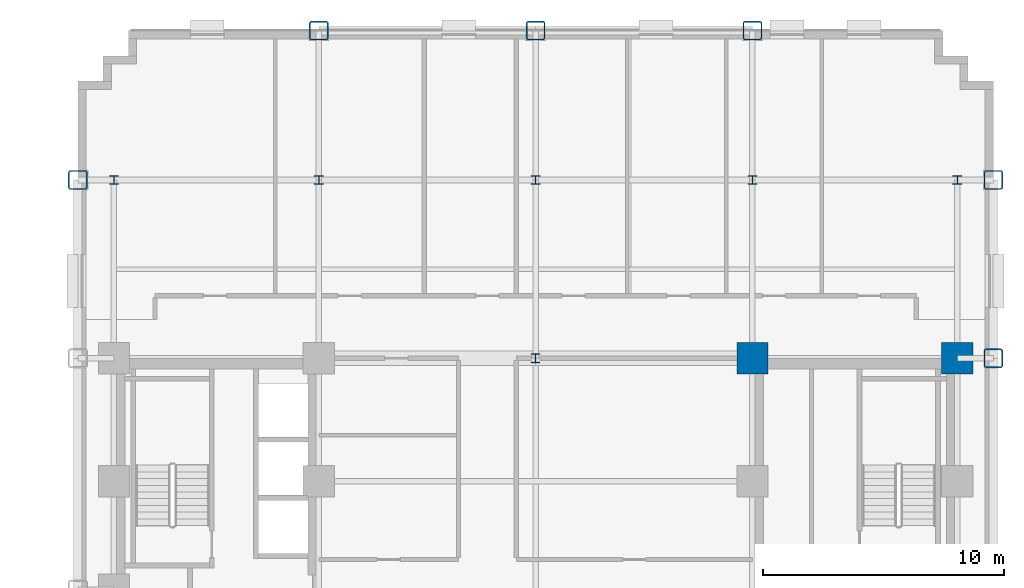
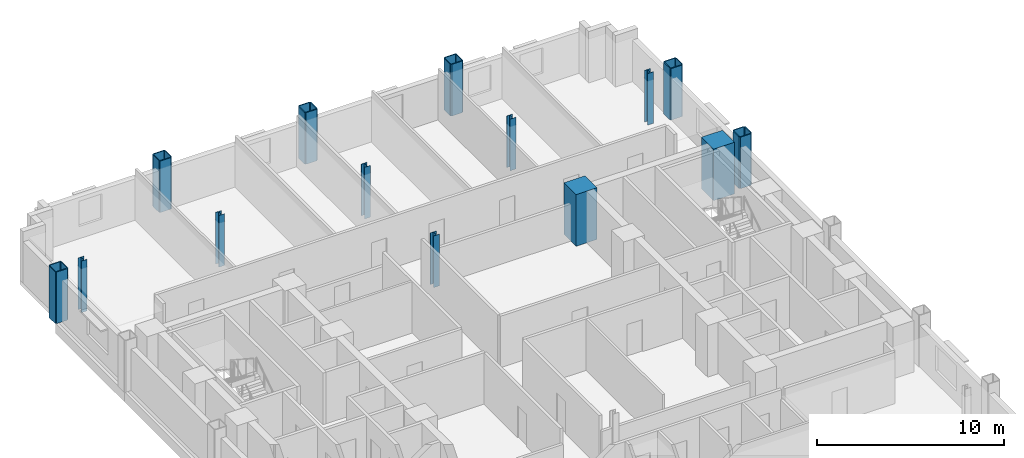
# One storey, part 2 of 12: 14 columns.
"""IFC4 building model written with IfcOpenShell, lengths in metres."""

from ifc_helpers import new_model, si_unit, direction, frame, origin, origin_2d, place, context, subcontext, project, spatial, rectangle, hollow_rectangle, i_section, extrude, material, material_profile, profile_set, type_object, element, save


model = new_model("IFC4")

# Units and contexts
model_context = context("Model", 3, precision=1e-05, world=origin(), true_north=direction((0.0, 1.0)))
body_context = subcontext(model_context, "Body", "Model", "MODEL_VIEW")
ifc_project = project(units=[si_unit("LENGTHUNIT", "METRE"), si_unit("AREAUNIT", "SQUARE_METRE"), si_unit("VOLUMEUNIT", "CUBIC_METRE"), si_unit("PLANEANGLEUNIT", "RADIAN"), si_unit("MASSUNIT", "GRAM", prefix="KILO")], contexts=[model_context])

# Site, building, storey
site_placement = place(None, origin())
site = spatial("IfcSite", under=ifc_project, at=site_placement, CompositionType="ELEMENT")
building_placement = place(site_placement, origin())
building = spatial("IfcBuilding", under=site, at=building_placement, Name="Nuvemarco Arch Tower", CompositionType="ELEMENT")
storey_placement = place(building_placement, frame((0.0, 0.0, 31.25)))
storey = spatial("IfcBuildingStorey", under=building, at=storey_placement, Name="L07", CompositionType="ELEMENT", Elevation=31.25)

# Columns
ifc_material_1 = material(Name="Concrete C60/75", Category="concrete")
ifc_material_profile_1 = material_profile(ifc_material_1, rectangle(XDim=1.300048828125, YDim=1.300048828125, at=origin_2d()), Name="RC-COL-1300x1300")
ifc_profile_set_1 = profile_set([ifc_material_profile_1], Name="Concrete C60/75")
column_type_1 = type_object("IfcColumnType", Name="COL-CORE-1300", PredefinedType="COLUMN", material=ifc_profile_set_1)
for number, where, z_axis, x_axis, name in (
    (1, (9.0, 9.60009765625, 0.0), (0.0, 0.0, 1.0), (1.0, 0.0, 0.0), "L07 column CC_+9.0_+9.6"),
    (2, (17.5, 9.60009765625, 0.0), (0.0, 0.0, 1.0), (1.0, 0.0, 0.0), "L07 column CC_+17.5_+9.6"),
):
    element("IfcColumn", number, at=place(storey_placement, frame(where, z_axis=z_axis, x_axis=x_axis)), inside=storey, type_object=column_type_1, Name=name, PredefinedType="COLUMN", context=body_context, shape_type="SweptSolid", body=[
        extrude(rectangle(XDim=1.300048828125, YDim=1.300048828125, at=origin_2d()), origin(), (0.0, 0.0, 1.0), 3.3701171875),
    ])
ifc_material_2 = material(Name="Steel S460", Category="steel")
ifc_material_profile_2 = material_profile(ifc_material_2, hollow_rectangle(XDim=0.800048828125, YDim=0.800048828125, WallThickness=0.054931640625, InnerFilletRadius=0.054931640625, OuterFilletRadius=0.110107421875, at=origin_2d()), Name="SHS800x800x55")
ifc_profile_set_2 = profile_set([ifc_material_profile_2], Name="Steel S460")
column_type_2 = type_object("IfcColumnType", Name="COL-EXO-800", PredefinedType="COLUMN", material=ifc_profile_set_2)
for number, where, z_axis, x_axis, name in (
    (3, (-19.0, 17.0, 0.0), (0.0, 0.0, 1.0), (1.0, 0.0, 0.0), "L07 column CX_-19.0_+17.0"),
    (4, (19.0, 9.60009765625, 0.0), (0.0, 0.0, 1.0), (1.0, 0.0, 0.0), "L07 column CX_+19.0_+9.6"),
    (5, (19.0, 17.0, 0.0), (0.0, 0.0, 1.0), (1.0, 0.0, 0.0), "L07 column CX_+19.0_+17.0"),
    (6, (-9.0, 23.199951171875, 0.0), (0.0, 0.0, 1.0), (1.0, 0.0, 0.0), "L07 column CY_-9.0_+23.2"),
    (7, (0.0, 23.199951171875, 0.0), (0.0, 0.0, 1.0), (1.0, 0.0, 0.0), "L07 column CY_+0.0_+23.2"),
    (8, (9.0, 23.199951171875, 0.0), (0.0, 0.0, 1.0), (1.0, 0.0, 0.0), "L07 column CY_+9.0_+23.2"),
):
    element("IfcColumn", number, at=place(storey_placement, frame(where, z_axis=z_axis, x_axis=x_axis)), inside=storey, type_object=column_type_2, Name=name, PredefinedType="COLUMN", context=body_context, shape_type="SweptSolid", body=[
        extrude(hollow_rectangle(XDim=0.800048828125, YDim=0.800048828125, WallThickness=0.054931640625, InnerFilletRadius=0.054931640625, OuterFilletRadius=0.110107421875, at=origin_2d()), origin(), (0.0, 0.0, 1.0), 3.3701171875),
    ])
ifc_material_3 = material(Name="Steel S355", Category="steel")
ifc_material_profile_3 = material_profile(ifc_material_3, i_section(OverallWidth=0.360107421875, OverallDepth=0.360107421875, WebThickness=0.0205078125, FlangeThickness=0.0205078125, FilletRadius=0.01806640625, at=origin_2d()), Name="HP360x174")
ifc_profile_set_3 = profile_set([ifc_material_profile_3], Name="Steel S355")
column_type_3 = type_object("IfcColumnType", Name="COL-STL-HP360", PredefinedType="COLUMN", material=ifc_profile_set_3)
for number, where, z_axis, x_axis, name in (
    (9, (0.0, 9.60009765625, 0.0), (0.0, 0.0, 1.0), (1.0, 0.0, 0.0), "L07 column CI_+0.0_+9.6"),
    (10, (0.0, 17.0, 0.0), (0.0, 0.0, 1.0), (1.0, 0.0, 0.0), "L07 column CI_+0.0_+17.0"),
    (11, (-17.5, 17.0, 0.0), (0.0, 0.0, 1.0), (1.0, 0.0, 0.0), "L07 column CI_-17.5_+17.0"),
    (12, (-9.0, 17.0, 0.0), (0.0, 0.0, 1.0), (1.0, 0.0, 0.0), "L07 column CI_-9.0_+17.0"),
    (13, (9.0, 17.0, 0.0), (0.0, 0.0, 1.0), (1.0, 0.0, 0.0), "L07 column CI_+9.0_+17.0"),
    (14, (17.5, 17.0, 0.0), (0.0, 0.0, 1.0), (1.0, 0.0, 0.0), "L07 column CI_+17.5_+17.0"),
):
    element("IfcColumn", number, at=place(storey_placement, frame(where, z_axis=z_axis, x_axis=x_axis)), inside=storey, type_object=column_type_3, Name=name, PredefinedType="COLUMN", context=body_context, shape_type="SweptSolid", body=[
        extrude(i_section(OverallWidth=0.360107421875, OverallDepth=0.360107421875, WebThickness=0.0205078125, FlangeThickness=0.0205078125, FilletRadius=0.01806640625, at=origin_2d()), origin(), (0.0, 0.0, 1.0), 3.3701171875),
    ])

save(model, "model.ifc")
